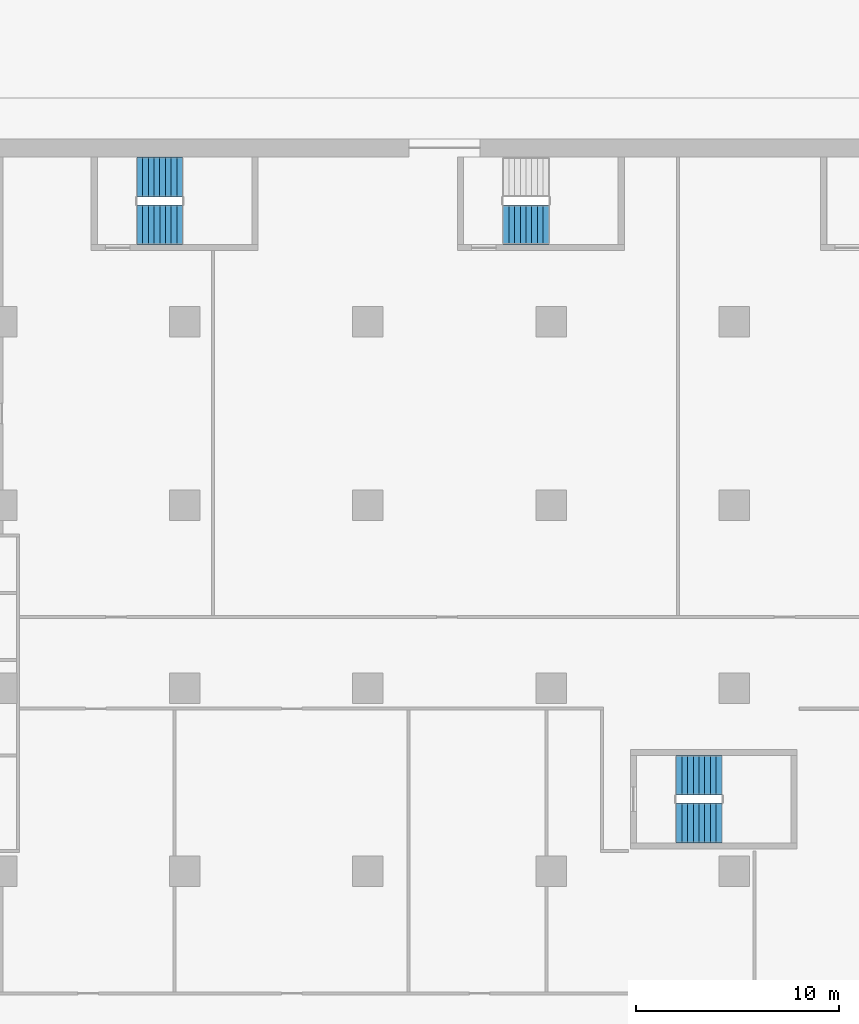
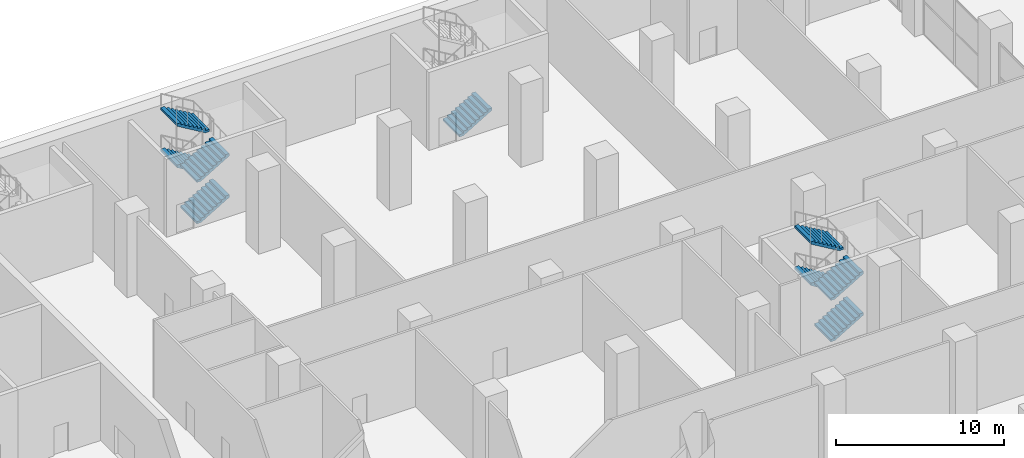
# One storey, part 32 of 47: 9 stair flights, 3 elements without a shape of their own.
"""IFC4 building model written with IfcOpenShell, lengths in metres."""

from ifc_helpers import new_model, si_unit, direction, frame, origin, place, context, subcontext, project, spatial, polyline, outline, extrude, material, type_object, element, aggregate, save


model = new_model("IFC4")

# Units and contexts
model_context = context("Model", 3, precision=1e-05, world=origin(), true_north=direction((0.0, 1.0)))
body_context = subcontext(model_context, "Body", "Model", "MODEL_VIEW")
ifc_project = project(units=[si_unit("LENGTHUNIT", "METRE"), si_unit("AREAUNIT", "SQUARE_METRE"), si_unit("VOLUMEUNIT", "CUBIC_METRE"), si_unit("PLANEANGLEUNIT", "RADIAN"), si_unit("MASSUNIT", "GRAM", prefix="KILO")], contexts=[model_context])

# Site, building, storey
site_placement = place(None, origin())
site = spatial("IfcSite", under=ifc_project, at=site_placement, CompositionType="ELEMENT")
building_placement = place(site_placement, origin())
building = spatial("IfcBuilding", under=site, at=building_placement, Name="Hunhe Ridgeline Campus", CompositionType="ELEMENT")
storey_placement = place(building_placement, origin())
storey = spatial("IfcBuildingStorey", under=building, at=storey_placement, Name="L00", CompositionType="ELEMENT", Elevation=0.0)

# Stair, stair flights
ifc_material = material(Name="Concrete C40", Category="concrete")
stair_type = type_object("IfcStairType", Name="Reinforced concrete dog-leg stair 1950 Concrete C40", PredefinedType="HALF_TURN_STAIR", material=ifc_material)
stair_1_placement = place(storey_placement, origin())
stair_1 = element("IfcStair", 1, at=stair_1_placement, inside=storey, type_object=stair_type, Name="L00 E2", PredefinedType="HALF_TURN_STAIR")
stair_flight_type = type_object("IfcStairFlightType", Name="Reinforced concrete stair flight 1950 Concrete C40", PredefinedType="STRAIGHT", material=ifc_material)
stair_flight_1_placement = place(storey_placement, frame((51.64990234375, 94.77490234375, 0.0), z_axis=(0.0, 0.0, 1.0), x_axis=(1.0, 0.0, 0.0)))
stair_flight_1 = element("IfcStairFlight", 2, at=stair_flight_1_placement, type_object=stair_flight_type, Name="ST6 flight 1", NumberOfRisers=9, NumberOfTreads=8, PredefinedType="STRAIGHT", RiserHeight=0.166666667, TreadLength=0.28, context=body_context, shape_type="SweptSolid", body=[
    extrude(outline(polyline([(0.0, 0.0), (0.0, 0.166748046875), (0.280029296875, 0.166748046875), (0.280029296875, 0.333251953125), (0.56005859375, 0.333251953125), (0.56005859375, 0.5), (0.840087890625, 0.5), (0.840087890625, 0.666748046875), (1.1201171875, 0.666748046875), (1.1201171875, 0.833251953125), (1.39990234375, 0.833251953125), (1.39990234375, 1.0), (1.679931640625, 1.0), (1.679931640625, 1.166748046875), (1.9599609375, 1.166748046875), (1.9599609375, 1.333251953125), (2.239990234375, 1.333251953125), (2.239990234375, 1.5), (2.239990234375, 1.158935546875), (0.29296875, 0.0), (0.0, 0.0)])), frame((0.0, 0.97509765625, 0.0), z_axis=(0.0, -1.0, 0.0), x_axis=(1.0, 0.0, 0.0)), (0.0, 0.0, 1.0), 1.949951171875),
    extrude(outline(polyline([(0.030029296875, 0.030029296875), (0.030029296875, 0.13671875), (0.31005859375, 0.13671875), (0.31005859375, 0.30322265625), (0.590087890625, 0.30322265625), (0.590087890625, 0.469970703125), (0.8701171875, 0.469970703125), (0.8701171875, 0.63671875), (1.14990234375, 0.63671875), (1.14990234375, 0.80322265625), (1.429931640625, 0.80322265625), (1.429931640625, 0.969970703125), (1.7099609375, 0.969970703125), (1.7099609375, 1.13671875), (1.989990234375, 1.13671875), (1.989990234375, 1.30322265625), (2.2099609375, 1.30322265625), (2.2099609375, 1.17578125), (0.284912109375, 0.030029296875), (0.030029296875, 0.030029296875)])), frame((0.0, -0.070068359375, 0.0), z_axis=(0.0, -1.0, 0.0), x_axis=(1.0, 0.0, 0.0)), (0.0, 0.0, 1.0), 0.019775390625),
    extrude(outline(polyline([(0.030029296875, 0.030029296875), (0.030029296875, 0.13671875), (0.31005859375, 0.13671875), (0.31005859375, 0.30322265625), (0.590087890625, 0.30322265625), (0.590087890625, 0.469970703125), (0.8701171875, 0.469970703125), (0.8701171875, 0.63671875), (1.14990234375, 0.63671875), (1.14990234375, 0.80322265625), (1.429931640625, 0.80322265625), (1.429931640625, 0.969970703125), (1.7099609375, 0.969970703125), (1.7099609375, 1.13671875), (1.989990234375, 1.13671875), (1.989990234375, 1.30322265625), (2.2099609375, 1.30322265625), (2.2099609375, 1.17578125), (0.284912109375, 0.030029296875), (0.030029296875, 0.030029296875)])), frame((0.0, 0.010009765625, 0.0), z_axis=(0.0, -1.0, 0.0), x_axis=(1.0, 0.0, 0.0)), (0.0, 0.0, 1.0), 0.019775390625),
    extrude(outline(polyline([(0.030029296875, 0.030029296875), (0.030029296875, 0.13671875), (0.31005859375, 0.13671875), (0.31005859375, 0.30322265625), (0.590087890625, 0.30322265625), (0.590087890625, 0.469970703125), (0.8701171875, 0.469970703125), (0.8701171875, 0.63671875), (1.14990234375, 0.63671875), (1.14990234375, 0.80322265625), (1.429931640625, 0.80322265625), (1.429931640625, 0.969970703125), (1.7099609375, 0.969970703125), (1.7099609375, 1.13671875), (1.989990234375, 1.13671875), (1.989990234375, 1.30322265625), (2.2099609375, 1.30322265625), (2.2099609375, 1.17578125), (0.284912109375, 0.030029296875), (0.030029296875, 0.030029296875)])), frame((0.0, 0.090087890625, 0.0), z_axis=(0.0, -1.0, 0.0), x_axis=(1.0, 0.0, 0.0)), (0.0, 0.0, 1.0), 0.019775390625),
])
stair_flight_2_placement = place(storey_placement, frame((53.889892578125, 97.125, 1.5), z_axis=(0.0, 0.0, 1.0), x_axis=(-1.0, 0.0, 0.0)))
stair_flight_2 = element("IfcStairFlight", 3, at=stair_flight_2_placement, type_object=stair_flight_type, Name="ST6 flight 2", NumberOfRisers=9, NumberOfTreads=8, PredefinedType="STRAIGHT", RiserHeight=0.166666667, TreadLength=0.28, context=body_context, shape_type="SweptSolid", body=[
    extrude(outline(polyline([(0.0, 0.0), (0.0, 0.166748046875), (0.280029296875, 0.166748046875), (0.280029296875, 0.333251953125), (0.56005859375, 0.333251953125), (0.56005859375, 0.5), (0.840087890625, 0.5), (0.840087890625, 0.666748046875), (1.1201171875, 0.666748046875), (1.1201171875, 0.833251953125), (1.39990234375, 0.833251953125), (1.39990234375, 1.0), (1.679931640625, 1.0), (1.679931640625, 1.166748046875), (1.9599609375, 1.166748046875), (1.9599609375, 1.333251953125), (2.239990234375, 1.333251953125), (2.239990234375, 1.5), (2.239990234375, 1.158935546875), (0.29296875, 0.0), (0.0, 0.0)])), frame((0.0, 0.97509765625, 0.0), z_axis=(0.0, -1.0, 0.0), x_axis=(1.0, 0.0, 0.0)), (0.0, 0.0, 1.0), 1.949951171875),
    extrude(outline(polyline([(0.030029296875, 0.030029296875), (0.030029296875, 0.13671875), (0.31005859375, 0.13671875), (0.31005859375, 0.30322265625), (0.590087890625, 0.30322265625), (0.590087890625, 0.469970703125), (0.8701171875, 0.469970703125), (0.8701171875, 0.63671875), (1.14990234375, 0.63671875), (1.14990234375, 0.80322265625), (1.429931640625, 0.80322265625), (1.429931640625, 0.969970703125), (1.7099609375, 0.969970703125), (1.7099609375, 1.13671875), (1.989990234375, 1.13671875), (1.989990234375, 1.30322265625), (2.2099609375, 1.30322265625), (2.2099609375, 1.17578125), (0.284912109375, 0.030029296875), (0.030029296875, 0.030029296875)])), frame((0.0, -0.070068359375, 0.0), z_axis=(0.0, -1.0, 0.0), x_axis=(1.0, 0.0, 0.0)), (0.0, 0.0, 1.0), 0.019775390625),
    extrude(outline(polyline([(0.030029296875, 0.030029296875), (0.030029296875, 0.13671875), (0.31005859375, 0.13671875), (0.31005859375, 0.30322265625), (0.590087890625, 0.30322265625), (0.590087890625, 0.469970703125), (0.8701171875, 0.469970703125), (0.8701171875, 0.63671875), (1.14990234375, 0.63671875), (1.14990234375, 0.80322265625), (1.429931640625, 0.80322265625), (1.429931640625, 0.969970703125), (1.7099609375, 0.969970703125), (1.7099609375, 1.13671875), (1.989990234375, 1.13671875), (1.989990234375, 1.30322265625), (2.2099609375, 1.30322265625), (2.2099609375, 1.17578125), (0.284912109375, 0.030029296875), (0.030029296875, 0.030029296875)])), frame((0.0, 0.010009765625, 0.0), z_axis=(0.0, -1.0, 0.0), x_axis=(1.0, 0.0, 0.0)), (0.0, 0.0, 1.0), 0.019775390625),
    extrude(outline(polyline([(0.030029296875, 0.030029296875), (0.030029296875, 0.13671875), (0.31005859375, 0.13671875), (0.31005859375, 0.30322265625), (0.590087890625, 0.30322265625), (0.590087890625, 0.469970703125), (0.8701171875, 0.469970703125), (0.8701171875, 0.63671875), (1.14990234375, 0.63671875), (1.14990234375, 0.80322265625), (1.429931640625, 0.80322265625), (1.429931640625, 0.969970703125), (1.7099609375, 0.969970703125), (1.7099609375, 1.13671875), (1.989990234375, 1.13671875), (1.989990234375, 1.30322265625), (2.2099609375, 1.30322265625), (2.2099609375, 1.17578125), (0.284912109375, 0.030029296875), (0.030029296875, 0.030029296875)])), frame((0.0, 0.090087890625, 0.0), z_axis=(0.0, -1.0, 0.0), x_axis=(1.0, 0.0, 0.0)), (0.0, 0.0, 1.0), 0.019775390625),
])
stair_flight_3_placement = place(storey_placement, frame((51.64990234375, 94.77490234375, 3.0), z_axis=(0.0, 0.0, 1.0), x_axis=(1.0, 0.0, 0.0)))
stair_flight_3 = element("IfcStairFlight", 4, at=stair_flight_3_placement, type_object=stair_flight_type, Name="ST6 flight 3", NumberOfRisers=9, NumberOfTreads=8, PredefinedType="STRAIGHT", RiserHeight=0.166666667, TreadLength=0.28, context=body_context, shape_type="SweptSolid", body=[
    extrude(outline(polyline([(0.0, 0.0), (0.0, 0.166748046875), (0.280029296875, 0.166748046875), (0.280029296875, 0.333251953125), (0.56005859375, 0.333251953125), (0.56005859375, 0.5), (0.840087890625, 0.5), (0.840087890625, 0.666748046875), (1.1201171875, 0.666748046875), (1.1201171875, 0.833251953125), (1.39990234375, 0.833251953125), (1.39990234375, 1.0), (1.679931640625, 1.0), (1.679931640625, 1.166748046875), (1.9599609375, 1.166748046875), (1.9599609375, 1.333251953125), (2.239990234375, 1.333251953125), (2.239990234375, 1.5), (2.239990234375, 1.158935546875), (0.29296875, 0.0), (0.0, 0.0)])), frame((0.0, 0.97509765625, 0.0), z_axis=(0.0, -1.0, 0.0), x_axis=(1.0, 0.0, 0.0)), (0.0, 0.0, 1.0), 1.949951171875),
    extrude(outline(polyline([(0.030029296875, 0.030029296875), (0.030029296875, 0.13671875), (0.31005859375, 0.13671875), (0.31005859375, 0.30322265625), (0.590087890625, 0.30322265625), (0.590087890625, 0.469970703125), (0.8701171875, 0.469970703125), (0.8701171875, 0.63671875), (1.14990234375, 0.63671875), (1.14990234375, 0.80322265625), (1.429931640625, 0.80322265625), (1.429931640625, 0.969970703125), (1.7099609375, 0.969970703125), (1.7099609375, 1.13671875), (1.989990234375, 1.13671875), (1.989990234375, 1.30322265625), (2.2099609375, 1.30322265625), (2.2099609375, 1.17578125), (0.284912109375, 0.030029296875), (0.030029296875, 0.030029296875)])), frame((0.0, -0.070068359375, 0.0), z_axis=(0.0, -1.0, 0.0), x_axis=(1.0, 0.0, 0.0)), (0.0, 0.0, 1.0), 0.019775390625),
    extrude(outline(polyline([(0.030029296875, 0.030029296875), (0.030029296875, 0.13671875), (0.31005859375, 0.13671875), (0.31005859375, 0.30322265625), (0.590087890625, 0.30322265625), (0.590087890625, 0.469970703125), (0.8701171875, 0.469970703125), (0.8701171875, 0.63671875), (1.14990234375, 0.63671875), (1.14990234375, 0.80322265625), (1.429931640625, 0.80322265625), (1.429931640625, 0.969970703125), (1.7099609375, 0.969970703125), (1.7099609375, 1.13671875), (1.989990234375, 1.13671875), (1.989990234375, 1.30322265625), (2.2099609375, 1.30322265625), (2.2099609375, 1.17578125), (0.284912109375, 0.030029296875), (0.030029296875, 0.030029296875)])), frame((0.0, 0.010009765625, 0.0), z_axis=(0.0, -1.0, 0.0), x_axis=(1.0, 0.0, 0.0)), (0.0, 0.0, 1.0), 0.019775390625),
    extrude(outline(polyline([(0.030029296875, 0.030029296875), (0.030029296875, 0.13671875), (0.31005859375, 0.13671875), (0.31005859375, 0.30322265625), (0.590087890625, 0.30322265625), (0.590087890625, 0.469970703125), (0.8701171875, 0.469970703125), (0.8701171875, 0.63671875), (1.14990234375, 0.63671875), (1.14990234375, 0.80322265625), (1.429931640625, 0.80322265625), (1.429931640625, 0.969970703125), (1.7099609375, 0.969970703125), (1.7099609375, 1.13671875), (1.989990234375, 1.13671875), (1.989990234375, 1.30322265625), (2.2099609375, 1.30322265625), (2.2099609375, 1.17578125), (0.284912109375, 0.030029296875), (0.030029296875, 0.030029296875)])), frame((0.0, 0.090087890625, 0.0), z_axis=(0.0, -1.0, 0.0), x_axis=(1.0, 0.0, 0.0)), (0.0, 0.0, 1.0), 0.019775390625),
])
stair_flight_4_placement = place(storey_placement, frame((53.889892578125, 97.125, 4.5), z_axis=(0.0, 0.0, 1.0), x_axis=(-1.0, 0.0, 0.0)))
stair_flight_4 = element("IfcStairFlight", 5, at=stair_flight_4_placement, type_object=stair_flight_type, Name="ST6 flight 4", NumberOfRisers=9, NumberOfTreads=8, PredefinedType="STRAIGHT", RiserHeight=0.166666667, TreadLength=0.28, context=body_context, shape_type="SweptSolid", body=[
    extrude(outline(polyline([(0.0, 0.0), (0.0, 0.166748046875), (0.280029296875, 0.166748046875), (0.280029296875, 0.333251953125), (0.56005859375, 0.333251953125), (0.56005859375, 0.5), (0.840087890625, 0.5), (0.840087890625, 0.666748046875), (1.1201171875, 0.666748046875), (1.1201171875, 0.833251953125), (1.39990234375, 0.833251953125), (1.39990234375, 1.0), (1.679931640625, 1.0), (1.679931640625, 1.166748046875), (1.9599609375, 1.166748046875), (1.9599609375, 1.333251953125), (2.239990234375, 1.333251953125), (2.239990234375, 1.5), (2.239990234375, 1.158935546875), (0.29296875, 0.0), (0.0, 0.0)])), frame((0.0, 0.97509765625, 0.0), z_axis=(0.0, -1.0, 0.0), x_axis=(1.0, 0.0, 0.0)), (0.0, 0.0, 1.0), 1.949951171875),
    extrude(outline(polyline([(0.030029296875, 0.030029296875), (0.030029296875, 0.13671875), (0.31005859375, 0.13671875), (0.31005859375, 0.30322265625), (0.590087890625, 0.30322265625), (0.590087890625, 0.469970703125), (0.8701171875, 0.469970703125), (0.8701171875, 0.63671875), (1.14990234375, 0.63671875), (1.14990234375, 0.80322265625), (1.429931640625, 0.80322265625), (1.429931640625, 0.969970703125), (1.7099609375, 0.969970703125), (1.7099609375, 1.13671875), (1.989990234375, 1.13671875), (1.989990234375, 1.30322265625), (2.2099609375, 1.30322265625), (2.2099609375, 1.17578125), (0.284912109375, 0.030029296875), (0.030029296875, 0.030029296875)])), frame((0.0, -0.070068359375, 0.0), z_axis=(0.0, -1.0, 0.0), x_axis=(1.0, 0.0, 0.0)), (0.0, 0.0, 1.0), 0.019775390625),
    extrude(outline(polyline([(0.030029296875, 0.030029296875), (0.030029296875, 0.13671875), (0.31005859375, 0.13671875), (0.31005859375, 0.30322265625), (0.590087890625, 0.30322265625), (0.590087890625, 0.469970703125), (0.8701171875, 0.469970703125), (0.8701171875, 0.63671875), (1.14990234375, 0.63671875), (1.14990234375, 0.80322265625), (1.429931640625, 0.80322265625), (1.429931640625, 0.969970703125), (1.7099609375, 0.969970703125), (1.7099609375, 1.13671875), (1.989990234375, 1.13671875), (1.989990234375, 1.30322265625), (2.2099609375, 1.30322265625), (2.2099609375, 1.17578125), (0.284912109375, 0.030029296875), (0.030029296875, 0.030029296875)])), frame((0.0, 0.010009765625, 0.0), z_axis=(0.0, -1.0, 0.0), x_axis=(1.0, 0.0, 0.0)), (0.0, 0.0, 1.0), 0.019775390625),
    extrude(outline(polyline([(0.030029296875, 0.030029296875), (0.030029296875, 0.13671875), (0.31005859375, 0.13671875), (0.31005859375, 0.30322265625), (0.590087890625, 0.30322265625), (0.590087890625, 0.469970703125), (0.8701171875, 0.469970703125), (0.8701171875, 0.63671875), (1.14990234375, 0.63671875), (1.14990234375, 0.80322265625), (1.429931640625, 0.80322265625), (1.429931640625, 0.969970703125), (1.7099609375, 0.969970703125), (1.7099609375, 1.13671875), (1.989990234375, 1.13671875), (1.989990234375, 1.30322265625), (2.2099609375, 1.30322265625), (2.2099609375, 1.17578125), (0.284912109375, 0.030029296875), (0.030029296875, 0.030029296875)])), frame((0.0, 0.090087890625, 0.0), z_axis=(0.0, -1.0, 0.0), x_axis=(1.0, 0.0, 0.0)), (0.0, 0.0, 1.0), 0.019775390625),
])
aggregate(stair_1, [stair_flight_1, stair_flight_2, stair_flight_3, stair_flight_4])

# Stair, stair flight
stair_2_placement = place(storey_placement, origin())
stair_2 = element("IfcStair", 6, at=stair_2_placement, inside=storey, type_object=stair_type, Name="L00 E3", PredefinedType="HALF_TURN_STAIR")
stair_flight_5_placement = place(storey_placement, frame((69.64990234375, 94.77490234375, 0.0), z_axis=(0.0, 0.0, 1.0), x_axis=(1.0, 0.0, 0.0)))
stair_flight_5 = element("IfcStairFlight", 7, at=stair_flight_5_placement, type_object=stair_flight_type, Name="ST7 flight 1", NumberOfRisers=9, NumberOfTreads=8, PredefinedType="STRAIGHT", RiserHeight=0.166666667, TreadLength=0.28, context=body_context, shape_type="SweptSolid", body=[
    extrude(outline(polyline([(0.0, 0.0), (0.0, 0.166748046875), (0.280029296875, 0.166748046875), (0.280029296875, 0.333251953125), (0.56005859375, 0.333251953125), (0.56005859375, 0.5), (0.840087890625, 0.5), (0.840087890625, 0.666748046875), (1.1201171875, 0.666748046875), (1.1201171875, 0.833251953125), (1.39990234375, 0.833251953125), (1.39990234375, 1.0), (1.679931640625, 1.0), (1.679931640625, 1.166748046875), (1.9599609375, 1.166748046875), (1.9599609375, 1.333251953125), (2.239990234375, 1.333251953125), (2.239990234375, 1.5), (2.239990234375, 1.158935546875), (0.29296875, 0.0), (0.0, 0.0)])), frame((0.0, 0.97509765625, 0.0), z_axis=(0.0, -1.0, 0.0), x_axis=(1.0, 0.0, 0.0)), (0.0, 0.0, 1.0), 1.949951171875),
    extrude(outline(polyline([(0.030029296875, 0.030029296875), (0.030029296875, 0.13671875), (0.31005859375, 0.13671875), (0.31005859375, 0.30322265625), (0.590087890625, 0.30322265625), (0.590087890625, 0.469970703125), (0.8701171875, 0.469970703125), (0.8701171875, 0.63671875), (1.14990234375, 0.63671875), (1.14990234375, 0.80322265625), (1.429931640625, 0.80322265625), (1.429931640625, 0.969970703125), (1.7099609375, 0.969970703125), (1.7099609375, 1.13671875), (1.989990234375, 1.13671875), (1.989990234375, 1.30322265625), (2.2099609375, 1.30322265625), (2.2099609375, 1.17578125), (0.284912109375, 0.030029296875), (0.030029296875, 0.030029296875)])), frame((0.0, -0.070068359375, 0.0), z_axis=(0.0, -1.0, 0.0), x_axis=(1.0, 0.0, 0.0)), (0.0, 0.0, 1.0), 0.019775390625),
    extrude(outline(polyline([(0.030029296875, 0.030029296875), (0.030029296875, 0.13671875), (0.31005859375, 0.13671875), (0.31005859375, 0.30322265625), (0.590087890625, 0.30322265625), (0.590087890625, 0.469970703125), (0.8701171875, 0.469970703125), (0.8701171875, 0.63671875), (1.14990234375, 0.63671875), (1.14990234375, 0.80322265625), (1.429931640625, 0.80322265625), (1.429931640625, 0.969970703125), (1.7099609375, 0.969970703125), (1.7099609375, 1.13671875), (1.989990234375, 1.13671875), (1.989990234375, 1.30322265625), (2.2099609375, 1.30322265625), (2.2099609375, 1.17578125), (0.284912109375, 0.030029296875), (0.030029296875, 0.030029296875)])), frame((0.0, 0.010009765625, 0.0), z_axis=(0.0, -1.0, 0.0), x_axis=(1.0, 0.0, 0.0)), (0.0, 0.0, 1.0), 0.019775390625),
    extrude(outline(polyline([(0.030029296875, 0.030029296875), (0.030029296875, 0.13671875), (0.31005859375, 0.13671875), (0.31005859375, 0.30322265625), (0.590087890625, 0.30322265625), (0.590087890625, 0.469970703125), (0.8701171875, 0.469970703125), (0.8701171875, 0.63671875), (1.14990234375, 0.63671875), (1.14990234375, 0.80322265625), (1.429931640625, 0.80322265625), (1.429931640625, 0.969970703125), (1.7099609375, 0.969970703125), (1.7099609375, 1.13671875), (1.989990234375, 1.13671875), (1.989990234375, 1.30322265625), (2.2099609375, 1.30322265625), (2.2099609375, 1.17578125), (0.284912109375, 0.030029296875), (0.030029296875, 0.030029296875)])), frame((0.0, 0.090087890625, 0.0), z_axis=(0.0, -1.0, 0.0), x_axis=(1.0, 0.0, 0.0)), (0.0, 0.0, 1.0), 0.019775390625),
])
aggregate(stair_2, [stair_flight_5])

# Stair, stair flights
stair_3_placement = place(storey_placement, origin())
stair_3 = element("IfcStair", 8, at=stair_3_placement, inside=storey, type_object=stair_type, Name="L00 E5", PredefinedType="HALF_TURN_STAIR")
stair_flight_6_placement = place(storey_placement, frame((78.14990234375, 65.375, 0.0), z_axis=(0.0, 0.0, 1.0), x_axis=(1.0, 0.0, 0.0)))
stair_flight_6 = element("IfcStairFlight", 9, at=stair_flight_6_placement, type_object=stair_flight_type, Name="ST10 flight 1", NumberOfRisers=9, NumberOfTreads=8, PredefinedType="STRAIGHT", RiserHeight=0.166666667, TreadLength=0.28, context=body_context, shape_type="SweptSolid", body=[
    extrude(outline(polyline([(0.0, 0.0), (0.0, 0.166748046875), (0.280029296875, 0.166748046875), (0.280029296875, 0.333251953125), (0.56005859375, 0.333251953125), (0.56005859375, 0.5), (0.840087890625, 0.5), (0.840087890625, 0.666748046875), (1.1201171875, 0.666748046875), (1.1201171875, 0.833251953125), (1.39990234375, 0.833251953125), (1.39990234375, 1.0), (1.679931640625, 1.0), (1.679931640625, 1.166748046875), (1.9599609375, 1.166748046875), (1.9599609375, 1.333251953125), (2.239990234375, 1.333251953125), (2.239990234375, 1.5), (2.239990234375, 1.158935546875), (0.29296875, 0.0), (0.0, 0.0)])), frame((0.0, 0.97509765625, 0.0), z_axis=(0.0, -1.0, 0.0), x_axis=(1.0, 0.0, 0.0)), (0.0, 0.0, 1.0), 1.949951171875),
    extrude(outline(polyline([(0.030029296875, 0.030029296875), (0.030029296875, 0.13671875), (0.31005859375, 0.13671875), (0.31005859375, 0.30322265625), (0.590087890625, 0.30322265625), (0.590087890625, 0.469970703125), (0.8701171875, 0.469970703125), (0.8701171875, 0.63671875), (1.14990234375, 0.63671875), (1.14990234375, 0.80322265625), (1.429931640625, 0.80322265625), (1.429931640625, 0.969970703125), (1.7099609375, 0.969970703125), (1.7099609375, 1.13671875), (1.989990234375, 1.13671875), (1.989990234375, 1.30322265625), (2.2099609375, 1.30322265625), (2.2099609375, 1.17578125), (0.284912109375, 0.030029296875), (0.030029296875, 0.030029296875)])), frame((0.0, -0.070068359375, 0.0), z_axis=(0.0, -1.0, 0.0), x_axis=(1.0, 0.0, 0.0)), (0.0, 0.0, 1.0), 0.019775390625),
    extrude(outline(polyline([(0.030029296875, 0.030029296875), (0.030029296875, 0.13671875), (0.31005859375, 0.13671875), (0.31005859375, 0.30322265625), (0.590087890625, 0.30322265625), (0.590087890625, 0.469970703125), (0.8701171875, 0.469970703125), (0.8701171875, 0.63671875), (1.14990234375, 0.63671875), (1.14990234375, 0.80322265625), (1.429931640625, 0.80322265625), (1.429931640625, 0.969970703125), (1.7099609375, 0.969970703125), (1.7099609375, 1.13671875), (1.989990234375, 1.13671875), (1.989990234375, 1.30322265625), (2.2099609375, 1.30322265625), (2.2099609375, 1.17578125), (0.284912109375, 0.030029296875), (0.030029296875, 0.030029296875)])), frame((0.0, 0.010009765625, 0.0), z_axis=(0.0, -1.0, 0.0), x_axis=(1.0, 0.0, 0.0)), (0.0, 0.0, 1.0), 0.019775390625),
    extrude(outline(polyline([(0.030029296875, 0.030029296875), (0.030029296875, 0.13671875), (0.31005859375, 0.13671875), (0.31005859375, 0.30322265625), (0.590087890625, 0.30322265625), (0.590087890625, 0.469970703125), (0.8701171875, 0.469970703125), (0.8701171875, 0.63671875), (1.14990234375, 0.63671875), (1.14990234375, 0.80322265625), (1.429931640625, 0.80322265625), (1.429931640625, 0.969970703125), (1.7099609375, 0.969970703125), (1.7099609375, 1.13671875), (1.989990234375, 1.13671875), (1.989990234375, 1.30322265625), (2.2099609375, 1.30322265625), (2.2099609375, 1.17578125), (0.284912109375, 0.030029296875), (0.030029296875, 0.030029296875)])), frame((0.0, 0.090087890625, 0.0), z_axis=(0.0, -1.0, 0.0), x_axis=(1.0, 0.0, 0.0)), (0.0, 0.0, 1.0), 0.019775390625),
])
stair_flight_7_placement = place(storey_placement, frame((80.389892578125, 67.72509765625, 1.5), z_axis=(0.0, 0.0, 1.0), x_axis=(-1.0, 0.0, 0.0)))
stair_flight_7 = element("IfcStairFlight", 10, at=stair_flight_7_placement, type_object=stair_flight_type, Name="ST10 flight 2", NumberOfRisers=9, NumberOfTreads=8, PredefinedType="STRAIGHT", RiserHeight=0.166666667, TreadLength=0.28, context=body_context, shape_type="SweptSolid", body=[
    extrude(outline(polyline([(0.0, 0.0), (0.0, 0.166748046875), (0.280029296875, 0.166748046875), (0.280029296875, 0.333251953125), (0.56005859375, 0.333251953125), (0.56005859375, 0.5), (0.840087890625, 0.5), (0.840087890625, 0.666748046875), (1.1201171875, 0.666748046875), (1.1201171875, 0.833251953125), (1.39990234375, 0.833251953125), (1.39990234375, 1.0), (1.679931640625, 1.0), (1.679931640625, 1.166748046875), (1.9599609375, 1.166748046875), (1.9599609375, 1.333251953125), (2.239990234375, 1.333251953125), (2.239990234375, 1.5), (2.239990234375, 1.158935546875), (0.29296875, 0.0), (0.0, 0.0)])), frame((0.0, 0.97509765625, 0.0), z_axis=(0.0, -1.0, 0.0), x_axis=(1.0, 0.0, 0.0)), (0.0, 0.0, 1.0), 1.949951171875),
    extrude(outline(polyline([(0.030029296875, 0.030029296875), (0.030029296875, 0.13671875), (0.31005859375, 0.13671875), (0.31005859375, 0.30322265625), (0.590087890625, 0.30322265625), (0.590087890625, 0.469970703125), (0.8701171875, 0.469970703125), (0.8701171875, 0.63671875), (1.14990234375, 0.63671875), (1.14990234375, 0.80322265625), (1.429931640625, 0.80322265625), (1.429931640625, 0.969970703125), (1.7099609375, 0.969970703125), (1.7099609375, 1.13671875), (1.989990234375, 1.13671875), (1.989990234375, 1.30322265625), (2.2099609375, 1.30322265625), (2.2099609375, 1.17578125), (0.284912109375, 0.030029296875), (0.030029296875, 0.030029296875)])), frame((0.0, -0.070068359375, 0.0), z_axis=(0.0, -1.0, 0.0), x_axis=(1.0, 0.0, 0.0)), (0.0, 0.0, 1.0), 0.019775390625),
    extrude(outline(polyline([(0.030029296875, 0.030029296875), (0.030029296875, 0.13671875), (0.31005859375, 0.13671875), (0.31005859375, 0.30322265625), (0.590087890625, 0.30322265625), (0.590087890625, 0.469970703125), (0.8701171875, 0.469970703125), (0.8701171875, 0.63671875), (1.14990234375, 0.63671875), (1.14990234375, 0.80322265625), (1.429931640625, 0.80322265625), (1.429931640625, 0.969970703125), (1.7099609375, 0.969970703125), (1.7099609375, 1.13671875), (1.989990234375, 1.13671875), (1.989990234375, 1.30322265625), (2.2099609375, 1.30322265625), (2.2099609375, 1.17578125), (0.284912109375, 0.030029296875), (0.030029296875, 0.030029296875)])), frame((0.0, 0.010009765625, 0.0), z_axis=(0.0, -1.0, 0.0), x_axis=(1.0, 0.0, 0.0)), (0.0, 0.0, 1.0), 0.019775390625),
    extrude(outline(polyline([(0.030029296875, 0.030029296875), (0.030029296875, 0.13671875), (0.31005859375, 0.13671875), (0.31005859375, 0.30322265625), (0.590087890625, 0.30322265625), (0.590087890625, 0.469970703125), (0.8701171875, 0.469970703125), (0.8701171875, 0.63671875), (1.14990234375, 0.63671875), (1.14990234375, 0.80322265625), (1.429931640625, 0.80322265625), (1.429931640625, 0.969970703125), (1.7099609375, 0.969970703125), (1.7099609375, 1.13671875), (1.989990234375, 1.13671875), (1.989990234375, 1.30322265625), (2.2099609375, 1.30322265625), (2.2099609375, 1.17578125), (0.284912109375, 0.030029296875), (0.030029296875, 0.030029296875)])), frame((0.0, 0.090087890625, 0.0), z_axis=(0.0, -1.0, 0.0), x_axis=(1.0, 0.0, 0.0)), (0.0, 0.0, 1.0), 0.019775390625),
])
stair_flight_8_placement = place(storey_placement, frame((78.14990234375, 65.375, 3.0), z_axis=(0.0, 0.0, 1.0), x_axis=(1.0, 0.0, 0.0)))
stair_flight_8 = element("IfcStairFlight", 11, at=stair_flight_8_placement, type_object=stair_flight_type, Name="ST10 flight 3", NumberOfRisers=9, NumberOfTreads=8, PredefinedType="STRAIGHT", RiserHeight=0.166666667, TreadLength=0.28, context=body_context, shape_type="SweptSolid", body=[
    extrude(outline(polyline([(0.0, 0.0), (0.0, 0.166748046875), (0.280029296875, 0.166748046875), (0.280029296875, 0.333251953125), (0.56005859375, 0.333251953125), (0.56005859375, 0.5), (0.840087890625, 0.5), (0.840087890625, 0.666748046875), (1.1201171875, 0.666748046875), (1.1201171875, 0.833251953125), (1.39990234375, 0.833251953125), (1.39990234375, 1.0), (1.679931640625, 1.0), (1.679931640625, 1.166748046875), (1.9599609375, 1.166748046875), (1.9599609375, 1.333251953125), (2.239990234375, 1.333251953125), (2.239990234375, 1.5), (2.239990234375, 1.158935546875), (0.29296875, 0.0), (0.0, 0.0)])), frame((0.0, 0.97509765625, 0.0), z_axis=(0.0, -1.0, 0.0), x_axis=(1.0, 0.0, 0.0)), (0.0, 0.0, 1.0), 1.949951171875),
    extrude(outline(polyline([(0.030029296875, 0.030029296875), (0.030029296875, 0.13671875), (0.31005859375, 0.13671875), (0.31005859375, 0.30322265625), (0.590087890625, 0.30322265625), (0.590087890625, 0.469970703125), (0.8701171875, 0.469970703125), (0.8701171875, 0.63671875), (1.14990234375, 0.63671875), (1.14990234375, 0.80322265625), (1.429931640625, 0.80322265625), (1.429931640625, 0.969970703125), (1.7099609375, 0.969970703125), (1.7099609375, 1.13671875), (1.989990234375, 1.13671875), (1.989990234375, 1.30322265625), (2.2099609375, 1.30322265625), (2.2099609375, 1.17578125), (0.284912109375, 0.030029296875), (0.030029296875, 0.030029296875)])), frame((0.0, -0.070068359375, 0.0), z_axis=(0.0, -1.0, 0.0), x_axis=(1.0, 0.0, 0.0)), (0.0, 0.0, 1.0), 0.019775390625),
    extrude(outline(polyline([(0.030029296875, 0.030029296875), (0.030029296875, 0.13671875), (0.31005859375, 0.13671875), (0.31005859375, 0.30322265625), (0.590087890625, 0.30322265625), (0.590087890625, 0.469970703125), (0.8701171875, 0.469970703125), (0.8701171875, 0.63671875), (1.14990234375, 0.63671875), (1.14990234375, 0.80322265625), (1.429931640625, 0.80322265625), (1.429931640625, 0.969970703125), (1.7099609375, 0.969970703125), (1.7099609375, 1.13671875), (1.989990234375, 1.13671875), (1.989990234375, 1.30322265625), (2.2099609375, 1.30322265625), (2.2099609375, 1.17578125), (0.284912109375, 0.030029296875), (0.030029296875, 0.030029296875)])), frame((0.0, 0.010009765625, 0.0), z_axis=(0.0, -1.0, 0.0), x_axis=(1.0, 0.0, 0.0)), (0.0, 0.0, 1.0), 0.019775390625),
    extrude(outline(polyline([(0.030029296875, 0.030029296875), (0.030029296875, 0.13671875), (0.31005859375, 0.13671875), (0.31005859375, 0.30322265625), (0.590087890625, 0.30322265625), (0.590087890625, 0.469970703125), (0.8701171875, 0.469970703125), (0.8701171875, 0.63671875), (1.14990234375, 0.63671875), (1.14990234375, 0.80322265625), (1.429931640625, 0.80322265625), (1.429931640625, 0.969970703125), (1.7099609375, 0.969970703125), (1.7099609375, 1.13671875), (1.989990234375, 1.13671875), (1.989990234375, 1.30322265625), (2.2099609375, 1.30322265625), (2.2099609375, 1.17578125), (0.284912109375, 0.030029296875), (0.030029296875, 0.030029296875)])), frame((0.0, 0.090087890625, 0.0), z_axis=(0.0, -1.0, 0.0), x_axis=(1.0, 0.0, 0.0)), (0.0, 0.0, 1.0), 0.019775390625),
])
stair_flight_9_placement = place(storey_placement, frame((80.389892578125, 67.72509765625, 4.5), z_axis=(0.0, 0.0, 1.0), x_axis=(-1.0, 0.0, 0.0)))
stair_flight_9 = element("IfcStairFlight", 12, at=stair_flight_9_placement, type_object=stair_flight_type, Name="ST10 flight 4", NumberOfRisers=9, NumberOfTreads=8, PredefinedType="STRAIGHT", RiserHeight=0.166666667, TreadLength=0.28, context=body_context, shape_type="SweptSolid", body=[
    extrude(outline(polyline([(0.0, 0.0), (0.0, 0.166748046875), (0.280029296875, 0.166748046875), (0.280029296875, 0.333251953125), (0.56005859375, 0.333251953125), (0.56005859375, 0.5), (0.840087890625, 0.5), (0.840087890625, 0.666748046875), (1.1201171875, 0.666748046875), (1.1201171875, 0.833251953125), (1.39990234375, 0.833251953125), (1.39990234375, 1.0), (1.679931640625, 1.0), (1.679931640625, 1.166748046875), (1.9599609375, 1.166748046875), (1.9599609375, 1.333251953125), (2.239990234375, 1.333251953125), (2.239990234375, 1.5), (2.239990234375, 1.158935546875), (0.29296875, 0.0), (0.0, 0.0)])), frame((0.0, 0.97509765625, 0.0), z_axis=(0.0, -1.0, 0.0), x_axis=(1.0, 0.0, 0.0)), (0.0, 0.0, 1.0), 1.949951171875),
    extrude(outline(polyline([(0.030029296875, 0.030029296875), (0.030029296875, 0.13671875), (0.31005859375, 0.13671875), (0.31005859375, 0.30322265625), (0.590087890625, 0.30322265625), (0.590087890625, 0.469970703125), (0.8701171875, 0.469970703125), (0.8701171875, 0.63671875), (1.14990234375, 0.63671875), (1.14990234375, 0.80322265625), (1.429931640625, 0.80322265625), (1.429931640625, 0.969970703125), (1.7099609375, 0.969970703125), (1.7099609375, 1.13671875), (1.989990234375, 1.13671875), (1.989990234375, 1.30322265625), (2.2099609375, 1.30322265625), (2.2099609375, 1.17578125), (0.284912109375, 0.030029296875), (0.030029296875, 0.030029296875)])), frame((0.0, -0.070068359375, 0.0), z_axis=(0.0, -1.0, 0.0), x_axis=(1.0, 0.0, 0.0)), (0.0, 0.0, 1.0), 0.019775390625),
    extrude(outline(polyline([(0.030029296875, 0.030029296875), (0.030029296875, 0.13671875), (0.31005859375, 0.13671875), (0.31005859375, 0.30322265625), (0.590087890625, 0.30322265625), (0.590087890625, 0.469970703125), (0.8701171875, 0.469970703125), (0.8701171875, 0.63671875), (1.14990234375, 0.63671875), (1.14990234375, 0.80322265625), (1.429931640625, 0.80322265625), (1.429931640625, 0.969970703125), (1.7099609375, 0.969970703125), (1.7099609375, 1.13671875), (1.989990234375, 1.13671875), (1.989990234375, 1.30322265625), (2.2099609375, 1.30322265625), (2.2099609375, 1.17578125), (0.284912109375, 0.030029296875), (0.030029296875, 0.030029296875)])), frame((0.0, 0.010009765625, 0.0), z_axis=(0.0, -1.0, 0.0), x_axis=(1.0, 0.0, 0.0)), (0.0, 0.0, 1.0), 0.019775390625),
    extrude(outline(polyline([(0.030029296875, 0.030029296875), (0.030029296875, 0.13671875), (0.31005859375, 0.13671875), (0.31005859375, 0.30322265625), (0.590087890625, 0.30322265625), (0.590087890625, 0.469970703125), (0.8701171875, 0.469970703125), (0.8701171875, 0.63671875), (1.14990234375, 0.63671875), (1.14990234375, 0.80322265625), (1.429931640625, 0.80322265625), (1.429931640625, 0.969970703125), (1.7099609375, 0.969970703125), (1.7099609375, 1.13671875), (1.989990234375, 1.13671875), (1.989990234375, 1.30322265625), (2.2099609375, 1.30322265625), (2.2099609375, 1.17578125), (0.284912109375, 0.030029296875), (0.030029296875, 0.030029296875)])), frame((0.0, 0.090087890625, 0.0), z_axis=(0.0, -1.0, 0.0), x_axis=(1.0, 0.0, 0.0)), (0.0, 0.0, 1.0), 0.019775390625),
])
aggregate(stair_3, [stair_flight_6, stair_flight_7, stair_flight_8, stair_flight_9])

save(model, "model.ifc")
